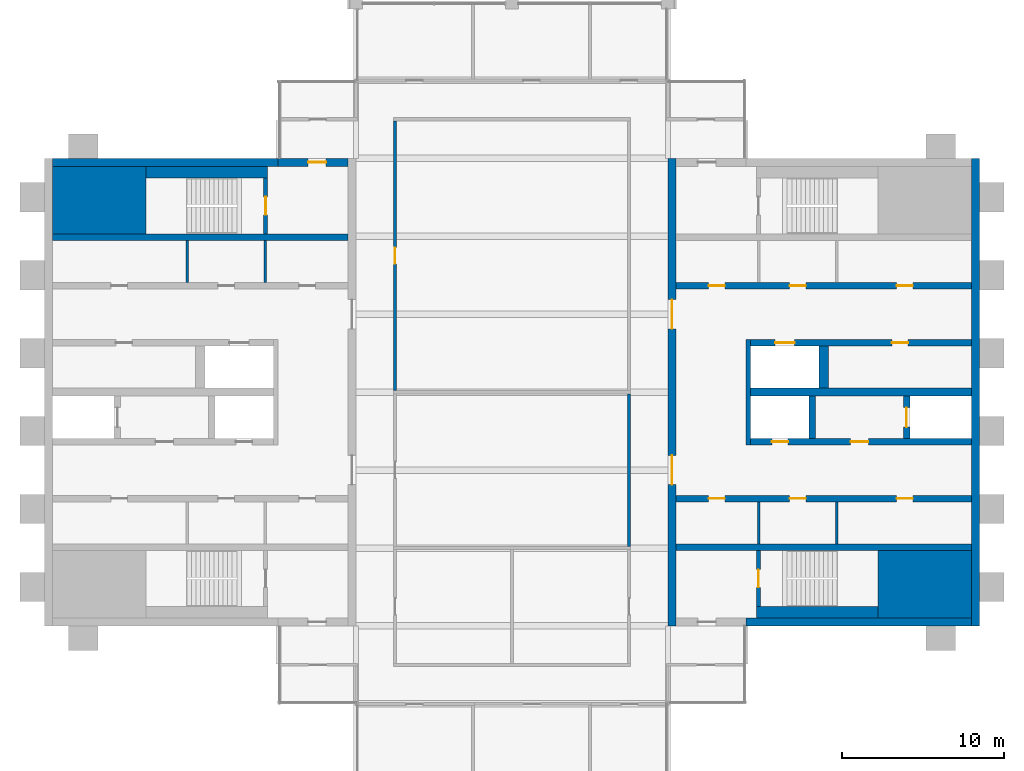
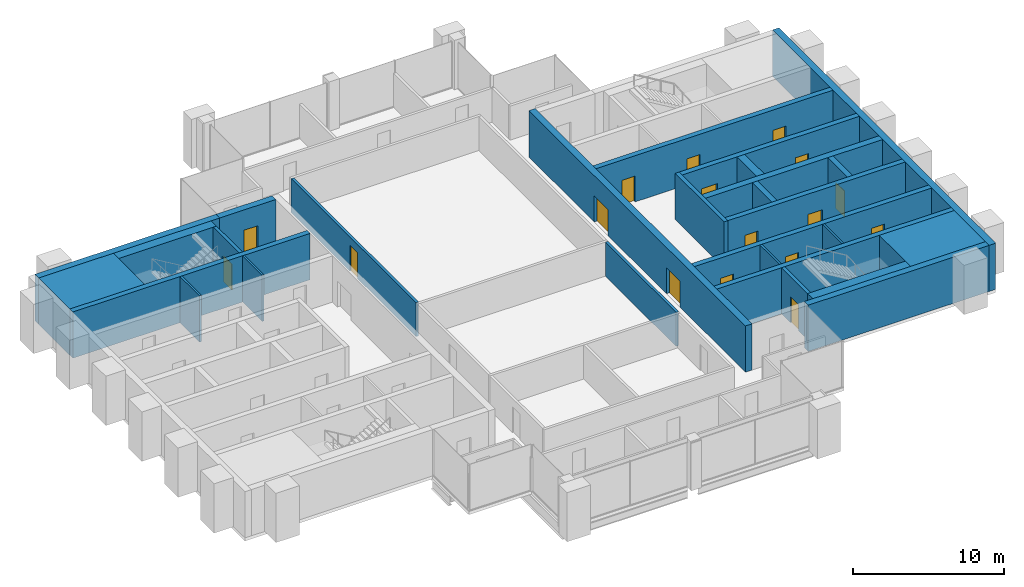
# One storey, part 9 of 11: 28 walls, 17 doors, 17 openings.
"""IFC4 building model written with IfcOpenShell, lengths in metres."""

from ifc_helpers import new_model, si_unit, direction, frame, frame_2d, origin, place, context, subcontext, project, spatial, rectangle, extrude, material, layer, layer_set, type_object, element, fill, save


model = new_model("IFC4")

# Units and contexts
model_context = context("Model", 3, precision=1e-05, world=origin(), true_north=direction((0.0, 1.0)))
body_context = subcontext(model_context, "Body", "Model", "MODEL_VIEW")
ifc_project = project(units=[si_unit("LENGTHUNIT", "METRE"), si_unit("AREAUNIT", "SQUARE_METRE"), si_unit("VOLUMEUNIT", "CUBIC_METRE"), si_unit("PLANEANGLEUNIT", "RADIAN"), si_unit("MASSUNIT", "GRAM", prefix="KILO")], contexts=[model_context])

# Site, building, storey
site_placement = place(None, origin())
site = spatial("IfcSite", under=ifc_project, at=site_placement, CompositionType="ELEMENT")
building_placement = place(site_placement, origin())
building = spatial("IfcBuilding", under=site, at=building_placement, Name="Baori Bourse Tower", CompositionType="ELEMENT")
storey_placement = place(building_placement, frame((0.0, 0.0, 358.300048828125)))
storey = spatial("IfcBuildingStorey", under=building, at=storey_placement, Name="L80", CompositionType="ELEMENT", Elevation=358.300048828125)

# Walls
ifc_material_1 = material(Name="Concrete f'c 40 MPa", Category="concrete")
wall_type_1 = type_object("IfcWallType", Name="Core corner block f'c 40", PredefinedType="SHEAR", material=ifc_material_1)
for number, where, z_axis, x_axis, name in (
    (1, (0.5, 35.824951171875, 0.0), (0.0, 0.0, 1.0), (1.0, 0.0, 0.0), "Core wall W23"),
    (2, (51.35009765625, 12.175048828125, 0.0), (0.0, 0.0, 1.0), (1.0, 0.0, 0.0), "Core wall E05"),
):
    element("IfcWall", number, at=place(storey_placement, frame(where, z_axis=z_axis, x_axis=x_axis)), inside=storey, type_object=wall_type_1, Name=name, PredefinedType="SHEAR", context=body_context, shape_type="SweptSolid", body=[
        extrude(rectangle(XDim=5.75, YDim=4.14990234375, at=frame_2d((2.875, 0.0))), origin(), (0.0, 0.0, 1.0), 3.75),
    ])
ifc_material_2 = material(Name="Blockwork partition", Category="masonry")
ifc_layer_1 = layer(ifc_material_2, 0.14990234375)
ifc_layer_set_1 = layer_set([ifc_layer_1], Name="Core partition 150")
wall_type_2 = type_object("IfcWallType", Name="Core partition 150", PredefinedType="PARTITIONING", material=ifc_layer_set_1)
for number, where, z_axis, x_axis, name in (
    (3, (8.800048828125, 30.75, 0.0), (0.0, 0.0, 1.0), (0.0, 1.0, 0.0), "Partition wall W20"),
    (4, (13.60009765625, 30.75, 0.0), (0.0, 0.0, 1.0), (0.0, 1.0, 0.0), "Partition wall W21"),
    (5, (48.800048828125, 14.64990234375, 0.0), (0.0, 0.0, 1.0), (0.0, 1.0, 0.0), "Partition wall E09"),
    (6, (44.0, 14.64990234375, 0.0), (0.0, 0.0, 1.0), (0.0, 1.0, 0.0), "Partition wall E10"),
):
    element("IfcWall", number, at=place(storey_placement, frame(where, z_axis=z_axis, x_axis=x_axis)), inside=storey, type_object=wall_type_2, Name=name, PredefinedType="PARTITIONING", context=body_context, shape_type="SweptSolid", body=[
        extrude(rectangle(XDim=2.60009765625, YDim=0.14990234375, at=frame_2d((1.300048828125, 0.0))), origin(), (0.0, 0.0, 1.0), 3.75),
    ])
ifc_material_3 = material(Name="Concrete f'c 40 MPa", Category="concrete")
ifc_layer_2 = layer(ifc_material_3, 0.5)
ifc_layer_set_2 = layer_set([ifc_layer_2], Name="Core wall 500 f'c 40")
wall_type_3 = type_object("IfcWallType", Name="Core wall 500 f'c 40", PredefinedType="SHEAR", material=ifc_layer_set_2)
wall_1_placement = place(storey_placement, frame((0.5, 38.14990234375, 0.0), z_axis=(0.0, 0.0, 1.0), x_axis=(1.0, 0.0, 0.0)))
element("IfcWall", 7, at=wall_1_placement, inside=storey, type_object=wall_type_3, Name="Core wall W26", PredefinedType="SHEAR", context=body_context, shape_type="SweptSolid", body=[
    extrude(rectangle(XDim=13.89990234375, YDim=0.5, at=frame_2d((6.949951171875, 0.0))), origin(), (0.0, 0.0, 1.0), 3.75),
])

# Wall, opening, door
wall_2_placement = place(storey_placement, frame((14.39990234375, 38.14990234375, 0.0), z_axis=(0.0, 0.0, 1.0), x_axis=(1.0, 0.0, 0.0)))
wall_2 = element("IfcWall", 8, at=wall_2_placement, inside=storey, type_object=wall_type_3, Name="Core wall W27", PredefinedType="SHEAR", context=body_context, shape_type="SweptSolid", body=[
    extrude(rectangle(XDim=4.300048828125, YDim=0.5, at=frame_2d((2.14990234375, 0.0))), origin(), (0.0, 0.0, 1.0), 3.75),
])
opening_1_placement = place(wall_2_placement, frame((1.85009765625, 0.0, 0.0)))
opening_1 = element("IfcOpeningElement", 9, at=opening_1_placement, cuts=wall_2, Name="Opening L80-D104", PredefinedType="OPENING", context=body_context, shape_type="SweptSolid", body=[
    extrude(rectangle(XDim=1.10009765625, YDim=2.10009765625, at=frame_2d((0.550048828125, 1.050048828125))), frame((0.0, 0.260009765625, 0.0), z_axis=(0.0, -1.0, 0.0), x_axis=(1.0, 0.0, 0.0)), (0.0, 0.0, 1.0), 0.52001953125),
])
ifc_material_4 = material(Name="Painted steel door", Category="steel")
door_type_1 = type_object("IfcDoorType", Name="Stair door 1100", OperationType="SINGLE_SWING_LEFT", PredefinedType="DOOR", material=ifc_material_4)
door_1_placement = place(opening_1_placement, origin())
door_1 = element("IfcDoor", 10, at=door_1_placement, inside=storey, type_object=door_type_1, Name="Stair vestibule door B W L80", OperationType="SINGLE_SWING_LEFT", OverallHeight=2.10009765625, OverallWidth=1.10009765625, PredefinedType="DOOR", context=body_context, shape_type="SweptSolid", body=[
    extrude(rectangle(XDim=1.10009765625, YDim=2.10009765625, at=frame_2d((0.550048828125, 1.050048828125))), frame((0.0, 0.02490234375, 0.0), z_axis=(0.0, -1.0, 0.0), x_axis=(1.0, 0.0, 0.0)), (0.0, 0.0, 1.0), 0.050048828125),
])
fill(opening_1, door_1)

# Walls
wall_3_placement = place(storey_placement, frame((57.35009765625, 38.39990234375, 0.0), z_axis=(0.0, 0.0, 1.0), x_axis=(0.0, -1.0, 0.0)))
element("IfcWall", 11, at=wall_3_placement, inside=storey, type_object=wall_type_3, Name="Core wall E01", PredefinedType="SHEAR", context=body_context, shape_type="SweptSolid", body=[
    extrude(rectangle(XDim=28.7998046875, YDim=0.5, at=frame_2d((14.39990234375, 0.0))), origin(), (0.0, 0.0, 1.0), 3.75),
])
wall_4_placement = place(storey_placement, frame((57.10009765625, 9.85009765625, 0.0), z_axis=(0.0, 0.0, 1.0), x_axis=(-1.0, 0.0, 0.0)))
element("IfcWall", 12, at=wall_4_placement, inside=storey, type_object=wall_type_3, Name="Core wall E02", PredefinedType="SHEAR", context=body_context, shape_type="SweptSolid", body=[
    extrude(rectangle(XDim=13.900146484375, YDim=0.5, at=frame_2d((6.9501953125, 0.0))), origin(), (0.0, 0.0, 1.0), 3.75),
])

# Wall, openings, doors
wall_5_placement = place(storey_placement, frame((38.64990234375, 9.60009765625, 0.0), z_axis=(0.0, 0.0, 1.0), x_axis=(0.0, 1.0, 0.0)))
wall_5 = element("IfcWall", 13, at=wall_5_placement, inside=storey, type_object=wall_type_3, Name="Core wall E04", PredefinedType="SHEAR", context=body_context, shape_type="SweptSolid", body=[
    extrude(rectangle(XDim=28.7998046875, YDim=0.5, at=frame_2d((14.39990234375, 0.0))), origin(), (0.0, 0.0, 1.0), 3.75),
])
opening_2_placement = place(wall_5_placement, frame((8.699951171875, 0.0, 0.0)))
opening_2 = element("IfcOpeningElement", 14, at=opening_2_placement, cuts=wall_5, Name="Opening L80-D207", PredefinedType="OPENING", context=body_context, shape_type="SweptSolid", body=[
    extrude(rectangle(XDim=1.800048828125, YDim=2.10009765625, at=frame_2d((0.89990234375, 1.050048828125))), frame((0.0, 0.260009765625, 0.0), z_axis=(0.0, -1.0, 0.0), x_axis=(1.0, 0.0, 0.0)), (0.0, 0.0, 1.0), 0.52001953125),
])
opening_3_placement = place(wall_5_placement, frame((18.300048828125, 0.0, 0.0)))
opening_3 = element("IfcOpeningElement", 15, at=opening_3_placement, cuts=wall_5, Name="Opening L80-D208", PredefinedType="OPENING", context=body_context, shape_type="SweptSolid", body=[
    extrude(rectangle(XDim=1.800048828125, YDim=2.10009765625, at=frame_2d((0.89990234375, 1.050048828125))), frame((0.0, 0.260009765625, 0.0), z_axis=(0.0, -1.0, 0.0), x_axis=(1.0, 0.0, 0.0)), (0.0, 0.0, 1.0), 0.52001953125),
])
ifc_material_5 = material(Name="Painted steel door", Category="steel")
door_type_2 = type_object("IfcDoorType", Name="Core lobby door 1800", OperationType="DOUBLE_DOOR_SINGLE_SWING", PredefinedType="DOOR", material=ifc_material_5)
door_2_placement = place(opening_2_placement, origin())
door_2 = element("IfcDoor", 16, at=door_2_placement, inside=storey, type_object=door_type_2, Name="Lobby door E L80", OperationType="DOUBLE_DOOR_SINGLE_SWING", OverallHeight=2.10009765625, OverallWidth=1.800048828125, PredefinedType="DOOR", context=body_context, shape_type="SweptSolid", body=[
    extrude(rectangle(XDim=1.800048828125, YDim=2.10009765625, at=frame_2d((0.89990234375, 1.050048828125))), frame((0.0, 0.02490234375, 0.0), z_axis=(0.0, -1.0, 0.0), x_axis=(1.0, 0.0, 0.0)), (0.0, 0.0, 1.0), 0.050048828125),
])
fill(opening_2, door_2)
door_3_placement = place(opening_3_placement, origin())
door_3 = element("IfcDoor", 17, at=door_3_placement, inside=storey, type_object=door_type_2, Name="Lobby door E L80", OperationType="DOUBLE_DOOR_SINGLE_SWING", OverallHeight=2.10009765625, OverallWidth=1.800048828125, PredefinedType="DOOR", context=body_context, shape_type="SweptSolid", body=[
    extrude(rectangle(XDim=1.800048828125, YDim=2.10009765625, at=frame_2d((0.89990234375, 1.050048828125))), frame((0.0, 0.02490234375, 0.0), z_axis=(0.0, -1.0, 0.0), x_axis=(1.0, 0.0, 0.0)), (0.0, 0.0, 1.0), 0.050048828125),
])
fill(opening_3, door_3)

# Wall, opening, door
ifc_material_6 = material(Name="Gypsum board partition")
ifc_layer_3 = layer(ifc_material_6, 0.199951171875)
ifc_layer_set_3 = layer_set([ifc_layer_3], Name="Plant room wall 200")
wall_type_4 = type_object("IfcWallType", Name="Plant room wall 200", PredefinedType="PARTITIONING", material=ifc_layer_set_3)
wall_6_placement = place(storey_placement, frame((21.60009765625, 24.10009765625, 0.0), z_axis=(0.0, 0.0, 1.0), x_axis=(0.0, 1.0, 0.0)))
wall_6 = element("IfcWall", 18, at=wall_6_placement, inside=storey, type_object=wall_type_4, Name="Partition", PredefinedType="PARTITIONING", context=body_context, shape_type="SweptSolid", body=[
    extrude(rectangle(XDim=16.599853515625, YDim=0.199951171875, at=frame_2d((8.2998046875, 0.0))), origin(), (0.0, 0.0, 1.0), 2.75927734375),
])
opening_4_placement = place(wall_6_placement, frame((7.800048828125, 0.0, 0.0)))
opening_4 = element("IfcOpeningElement", 19, at=opening_4_placement, cuts=wall_6, Name="Opening L80-D13", PredefinedType="OPENING", context=body_context, shape_type="SweptSolid", body=[
    extrude(rectangle(XDim=1.0, YDim=2.10009765625, at=frame_2d((0.5, 1.050048828125))), frame((0.0, 0.10986328125, 0.0), z_axis=(0.0, -1.0, 0.0), x_axis=(1.0, 0.0, 0.0)), (0.0, 0.0, 1.0), 0.219970703125),
])
ifc_material_7 = material(Name="Timber door leaf", Category="wood")
door_type_3 = type_object("IfcDoorType", Name="Door 1000 x 2100", OperationType="SINGLE_SWING_LEFT", PredefinedType="DOOR", material=ifc_material_7)
door_4_placement = place(opening_4_placement, origin())
door_4 = element("IfcDoor", 20, at=door_4_placement, inside=storey, type_object=door_type_3, Name="Door", OperationType="SINGLE_SWING_LEFT", OverallHeight=2.10009765625, OverallWidth=1.0, PredefinedType="DOOR", context=body_context, shape_type="SweptSolid", body=[
    extrude(rectangle(XDim=1.0, YDim=2.10009765625, at=frame_2d((0.5, 1.050048828125))), frame((0.0, 0.02490234375, 0.0), z_axis=(0.0, -1.0, 0.0), x_axis=(1.0, 0.0, 0.0)), (0.0, 0.0, 1.0), 0.050048828125),
])
fill(opening_4, door_4)

# Wall
wall_7_placement = place(storey_placement, frame((36.0, 14.5, 0.0), z_axis=(0.0, 0.0, 1.0), x_axis=(0.0, 1.0, 0.0)))
element("IfcWall", 21, at=wall_7_placement, inside=storey, type_object=wall_type_4, Name="Partition", PredefinedType="PARTITIONING", context=body_context, shape_type="SweptSolid", body=[
    extrude(rectangle(XDim=9.39990234375, YDim=0.199951171875, at=frame_2d((4.699951171875, 0.0))), origin(), (0.0, 0.0, 1.0), 2.75927734375),
])

# Wall, opening, door
ifc_material_8 = material(Name="Concrete f'c 40 MPa", Category="concrete")
ifc_layer_4 = layer(ifc_material_8, 0.25)
ifc_layer_set_4 = layer_set([ifc_layer_4], Name="Shaft wall 250 f'c 40")
wall_type_5 = type_object("IfcWallType", Name="Shaft wall 250 f'c 40", PredefinedType="SHEAR", material=ifc_layer_set_4)
wall_8_placement = place(storey_placement, frame((13.625, 33.75, 0.0), z_axis=(0.0, 0.0, 1.0), x_axis=(0.0, 1.0, 0.0)))
wall_8 = element("IfcWall", 22, at=wall_8_placement, inside=storey, type_object=wall_type_5, Name="Core wall W24", PredefinedType="SHEAR", context=body_context, shape_type="SweptSolid", body=[
    extrude(rectangle(XDim=3.449951171875, YDim=0.25, at=frame_2d((1.72509765625, 0.0))), origin(), (0.0, 0.0, 1.0), 3.75),
])
opening_5_placement = place(wall_8_placement, frame((1.175048828125, 0.0, 0.0)))
opening_5 = element("IfcOpeningElement", 23, at=opening_5_placement, cuts=wall_8, Name="Opening L80-D103", PredefinedType="OPENING", context=body_context, shape_type="SweptSolid", body=[
    extrude(rectangle(XDim=1.10009765625, YDim=2.10009765625, at=frame_2d((0.550048828125, 1.050048828125))), frame((0.0, 0.135009765625, 0.0), z_axis=(0.0, -1.0, 0.0), x_axis=(1.0, 0.0, 0.0)), (0.0, 0.0, 1.0), 0.27001953125),
])
door_5_placement = place(opening_5_placement, origin())
door_5 = element("IfcDoor", 24, at=door_5_placement, inside=storey, type_object=door_type_1, Name="Stair door B W L80", OperationType="SINGLE_SWING_LEFT", OverallHeight=2.10009765625, OverallWidth=1.10009765625, PredefinedType="DOOR", context=body_context, shape_type="SweptSolid", body=[
    extrude(rectangle(XDim=1.10009765625, YDim=2.10009765625, at=frame_2d((0.550048828125, 1.050048828125))), frame((0.0, 0.02490234375, 0.0), z_axis=(0.0, -1.0, 0.0), x_axis=(1.0, 0.0, 0.0)), (0.0, 0.0, 1.0), 0.050048828125),
])
fill(opening_5, door_5)

wall_9_placement = place(storey_placement, frame((43.97509765625, 10.800048828125, 0.0), z_axis=(0.0, 0.0, 1.0), x_axis=(0.0, 1.0, 0.0)))
wall_9 = element("IfcWall", 25, at=wall_9_placement, inside=storey, type_object=wall_type_5, Name="Core wall E07", PredefinedType="SHEAR", context=body_context, shape_type="SweptSolid", body=[
    extrude(rectangle(XDim=3.449951171875, YDim=0.25, at=frame_2d((1.72509765625, 0.0))), origin(), (0.0, 0.0, 1.0), 3.75),
])
opening_6_placement = place(wall_9_placement, frame((1.175048828125, 0.0, 0.0)))
opening_6 = element("IfcOpeningElement", 26, at=opening_6_placement, cuts=wall_9, Name="Opening L80-D201", PredefinedType="OPENING", context=body_context, shape_type="SweptSolid", body=[
    extrude(rectangle(XDim=1.10009765625, YDim=2.10009765625, at=frame_2d((0.550048828125, 1.050048828125))), frame((0.0, 0.135009765625, 0.0), z_axis=(0.0, -1.0, 0.0), x_axis=(1.0, 0.0, 0.0)), (0.0, 0.0, 1.0), 0.27001953125),
])
door_6_placement = place(opening_6_placement, origin())
door_6 = element("IfcDoor", 27, at=door_6_placement, inside=storey, type_object=door_type_1, Name="Stair door A E L80", OperationType="SINGLE_SWING_LEFT", OverallHeight=2.10009765625, OverallWidth=1.10009765625, PredefinedType="DOOR", context=body_context, shape_type="SweptSolid", body=[
    extrude(rectangle(XDim=1.10009765625, YDim=2.10009765625, at=frame_2d((0.550048828125, 1.050048828125))), frame((0.0, 0.02490234375, 0.0), z_axis=(0.0, -1.0, 0.0), x_axis=(1.0, 0.0, 0.0)), (0.0, 0.0, 1.0), 0.050048828125),
])
fill(opening_6, door_6)

# Walls
ifc_material_9 = material(Name="Concrete f'c 40 MPa", Category="concrete")
ifc_layer_5 = layer(ifc_material_9, 0.300048828125)
ifc_layer_set_5 = layer_set([ifc_layer_5], Name="Shaft wall 300 f'c 40")
wall_type_6 = type_object("IfcWallType", Name="Shaft wall 300 f'c 40", PredefinedType="SHEAR", material=ifc_layer_set_5)
wall_10_placement = place(storey_placement, frame((43.35009765625, 20.75, 0.0), z_axis=(0.0, 0.0, 1.0), x_axis=(0.0, 1.0, 0.0)))
element("IfcWall", 28, at=wall_10_placement, inside=storey, type_object=wall_type_6, Name="Core wall E13", PredefinedType="SHEAR", context=body_context, shape_type="SweptSolid", body=[
    extrude(rectangle(XDim=6.5, YDim=0.300048828125, at=frame_2d((3.25, 0.0))), origin(), (0.0, 0.0, 1.0), 3.75),
])
ifc_material_10 = material(Name="Concrete f'c 40 MPa", Category="concrete")
ifc_layer_6 = layer(ifc_material_10, 0.39990234375)
ifc_layer_set_6 = layer_set([ifc_layer_6], Name="Shaft wall 400 f'c 40")
wall_type_7 = type_object("IfcWallType", Name="Shaft wall 400 f'c 40", PredefinedType="SHEAR", material=ifc_layer_set_6)
wall_11_placement = place(storey_placement, frame((0.5, 33.550048828125, 0.0), z_axis=(0.0, 0.0, 1.0), x_axis=(1.0, 0.0, 0.0)))
element("IfcWall", 29, at=wall_11_placement, inside=storey, type_object=wall_type_7, Name="Core wall W22", PredefinedType="SHEAR", context=body_context, shape_type="SweptSolid", body=[
    extrude(rectangle(XDim=18.199951171875, YDim=0.39990234375, at=frame_2d((9.10009765625, 0.0))), origin(), (0.0, 0.0, 1.0), 3.75),
])
wall_12_placement = place(storey_placement, frame((38.89990234375, 14.449951171875, 0.0), z_axis=(0.0, 0.0, 1.0), x_axis=(1.0, 0.0, 0.0)))
element("IfcWall", 30, at=wall_12_placement, inside=storey, type_object=wall_type_7, Name="Core wall E08", PredefinedType="SHEAR", context=body_context, shape_type="SweptSolid", body=[
    extrude(rectangle(XDim=18.2001953125, YDim=0.39990234375, at=frame_2d((9.10009765625, 0.0))), origin(), (0.0, 0.0, 1.0), 3.75),
])

# Wall, openings, doors
wall_13_placement = place(storey_placement, frame((38.89990234375, 17.449951171875, 0.0), z_axis=(0.0, 0.0, 1.0), x_axis=(1.0, 0.0, 0.0)))
wall_13 = element("IfcWall", 31, at=wall_13_placement, inside=storey, type_object=wall_type_7, Name="Core wall E11", PredefinedType="SHEAR", context=body_context, shape_type="SweptSolid", body=[
    extrude(rectangle(XDim=18.2001953125, YDim=0.39990234375, at=frame_2d((9.10009765625, 0.0))), origin(), (0.0, 0.0, 1.0), 3.75),
])
opening_7_placement = place(wall_13_placement, frame((13.58740234375, 0.0, 0.0)))
opening_7 = element("IfcOpeningElement", 32, at=opening_7_placement, cuts=wall_13, Name="Opening L80-D212", PredefinedType="OPENING", context=body_context, shape_type="SweptSolid", body=[
    extrude(rectangle(XDim=1.0, YDim=2.10009765625, at=frame_2d((0.5, 1.050048828125))), frame((0.0, 0.2099609375, 0.0), z_axis=(0.0, -1.0, 0.0), x_axis=(1.0, 0.0, 0.0)), (0.0, 0.0, 1.0), 0.419921875),
])
opening_8_placement = place(wall_13_placement, frame((7.0, 0.0, 0.0)))
opening_8 = element("IfcOpeningElement", 33, at=opening_8_placement, cuts=wall_13, Name="Opening L80-D213", PredefinedType="OPENING", context=body_context, shape_type="SweptSolid", body=[
    extrude(rectangle(XDim=1.0, YDim=2.10009765625, at=frame_2d((0.5, 1.050048828125))), frame((0.0, 0.2099609375, 0.0), z_axis=(0.0, -1.0, 0.0), x_axis=(1.0, 0.0, 0.0)), (0.0, 0.0, 1.0), 0.419921875),
])
opening_9_placement = place(wall_13_placement, frame((2.012451171875, 0.0, 0.0)))
opening_9 = element("IfcOpeningElement", 34, at=opening_9_placement, cuts=wall_13, Name="Opening L80-D214", PredefinedType="OPENING", context=body_context, shape_type="SweptSolid", body=[
    extrude(rectangle(XDim=1.0, YDim=2.10009765625, at=frame_2d((0.5, 1.050048828125))), frame((0.0, 0.2099609375, 0.0), z_axis=(0.0, -1.0, 0.0), x_axis=(1.0, 0.0, 0.0)), (0.0, 0.0, 1.0), 0.419921875),
])
ifc_material_11 = material(Name="Painted steel door", Category="steel")
door_type_4 = type_object("IfcDoorType", Name="Plant room door 1000", OperationType="SINGLE_SWING_LEFT", PredefinedType="DOOR", material=ifc_material_11)
door_7_placement = place(opening_7_placement, origin())
door_7 = element("IfcDoor", 35, at=door_7_placement, inside=storey, type_object=door_type_4, Name="Air Handling Fan Room door E L80", OperationType="SINGLE_SWING_LEFT", OverallHeight=2.10009765625, OverallWidth=1.0, PredefinedType="DOOR", context=body_context, shape_type="SweptSolid", body=[
    extrude(rectangle(XDim=1.0, YDim=2.10009765625, at=frame_2d((0.5, 1.050048828125))), frame((0.0, 0.02490234375, 0.0), z_axis=(0.0, -1.0, 0.0), x_axis=(1.0, 0.0, 0.0)), (0.0, 0.0, 1.0), 0.050048828125),
])
fill(opening_7, door_7)
door_8_placement = place(opening_8_placement, origin())
door_8 = element("IfcDoor", 36, at=door_8_placement, inside=storey, type_object=door_type_4, Name="Electrical Room door E L80", OperationType="SINGLE_SWING_LEFT", OverallHeight=2.10009765625, OverallWidth=1.0, PredefinedType="DOOR", context=body_context, shape_type="SweptSolid", body=[
    extrude(rectangle(XDim=1.0, YDim=2.10009765625, at=frame_2d((0.5, 1.050048828125))), frame((0.0, 0.02490234375, 0.0), z_axis=(0.0, -1.0, 0.0), x_axis=(1.0, 0.0, 0.0)), (0.0, 0.0, 1.0), 0.050048828125),
])
fill(opening_8, door_8)
door_9_placement = place(opening_9_placement, origin())
door_9 = element("IfcDoor", 37, at=door_9_placement, inside=storey, type_object=door_type_4, Name="Mechanical Room door E L80", OperationType="SINGLE_SWING_LEFT", OverallHeight=2.10009765625, OverallWidth=1.0, PredefinedType="DOOR", context=body_context, shape_type="SweptSolid", body=[
    extrude(rectangle(XDim=1.0, YDim=2.10009765625, at=frame_2d((0.5, 1.050048828125))), frame((0.0, 0.02490234375, 0.0), z_axis=(0.0, -1.0, 0.0), x_axis=(1.0, 0.0, 0.0)), (0.0, 0.0, 1.0), 0.050048828125),
])
fill(opening_9, door_9)

wall_14_placement = place(storey_placement, frame((43.5, 20.949951171875, 0.0), z_axis=(0.0, 0.0, 1.0), x_axis=(1.0, 0.0, 0.0)))
wall_14 = element("IfcWall", 38, at=wall_14_placement, inside=storey, type_object=wall_type_7, Name="Core wall E12", PredefinedType="SHEAR", context=body_context, shape_type="SweptSolid", body=[
    extrude(rectangle(XDim=13.60009765625, YDim=0.39990234375, at=frame_2d((6.800048828125, 0.0))), origin(), (0.0, 0.0, 1.0), 3.75),
])
opening_10_placement = place(wall_14_placement, frame((6.14990234375, 0.0, 0.0)))
opening_10 = element("IfcOpeningElement", 39, at=opening_10_placement, cuts=wall_14, Name="Opening L80-D205", PredefinedType="OPENING", context=body_context, shape_type="SweptSolid", body=[
    extrude(rectangle(XDim=1.10009765625, YDim=2.10009765625, at=frame_2d((0.550048828125, 1.050048828125))), frame((0.0, 0.2099609375, 0.0), z_axis=(0.0, -1.0, 0.0), x_axis=(1.0, 0.0, 0.0)), (0.0, 0.0, 1.0), 0.419921875),
])
opening_11_placement = place(wall_14_placement, frame((1.300048828125, 0.0, 0.0)))
opening_11 = element("IfcOpeningElement", 40, at=opening_11_placement, cuts=wall_14, Name="Opening L80-D206", PredefinedType="OPENING", context=body_context, shape_type="SweptSolid", body=[
    extrude(rectangle(XDim=1.0, YDim=2.10009765625, at=frame_2d((0.5, 1.050048828125))), frame((0.0, 0.2099609375, 0.0), z_axis=(0.0, -1.0, 0.0), x_axis=(1.0, 0.0, 0.0)), (0.0, 0.0, 1.0), 0.419921875),
])
ifc_material_12 = material(Name="Painted steel door", Category="steel")
door_type_5 = type_object("IfcDoorType", Name="Lobby door 1100", OperationType="SINGLE_SWING_LEFT", PredefinedType="DOOR", material=ifc_material_12)
door_10_placement = place(opening_10_placement, origin())
door_10 = element("IfcDoor", 41, at=door_10_placement, inside=storey, type_object=door_type_5, Name="Firefighting lobby door E L80", OperationType="SINGLE_SWING_LEFT", OverallHeight=2.10009765625, OverallWidth=1.10009765625, PredefinedType="DOOR", context=body_context, shape_type="SweptSolid", body=[
    extrude(rectangle(XDim=1.10009765625, YDim=2.10009765625, at=frame_2d((0.550048828125, 1.050048828125))), frame((0.0, 0.02490234375, 0.0), z_axis=(0.0, -1.0, 0.0), x_axis=(1.0, 0.0, 0.0)), (0.0, 0.0, 1.0), 0.050048828125),
])
fill(opening_10, door_10)
ifc_material_13 = material(Name="Painted steel door", Category="steel")
door_type_6 = type_object("IfcDoorType", Name="Shaft door 1000", OperationType="SINGLE_SWING_LEFT", PredefinedType="DOOR", material=ifc_material_13)
door_11_placement = place(opening_11_placement, origin())
door_11 = element("IfcDoor", 42, at=door_11_placement, inside=storey, type_object=door_type_6, Name="Riser room door E L80", OperationType="SINGLE_SWING_LEFT", OverallHeight=2.10009765625, OverallWidth=1.0, PredefinedType="DOOR", context=body_context, shape_type="SweptSolid", body=[
    extrude(rectangle(XDim=1.0, YDim=2.10009765625, at=frame_2d((0.5, 1.050048828125))), frame((0.0, 0.02490234375, 0.0), z_axis=(0.0, -1.0, 0.0), x_axis=(1.0, 0.0, 0.0)), (0.0, 0.0, 1.0), 0.050048828125),
])
fill(opening_11, door_11)

# Wall, opening, door
wall_15_placement = place(storey_placement, frame((53.10009765625, 21.14990234375, 0.0), z_axis=(0.0, 0.0, 1.0), x_axis=(0.0, 1.0, 0.0)))
wall_15 = element("IfcWall", 43, at=wall_15_placement, inside=storey, type_object=wall_type_7, Name="Core wall E14", PredefinedType="SHEAR", context=body_context, shape_type="SweptSolid", body=[
    extrude(rectangle(XDim=2.60009765625, YDim=0.39990234375, at=frame_2d((1.300048828125, 0.0))), origin(), (0.0, 0.0, 1.0), 3.75),
])
opening_12_placement = place(wall_15_placement, frame((0.699951171875, 0.0, 0.0)))
opening_12 = element("IfcOpeningElement", 44, at=opening_12_placement, cuts=wall_15, Name="Opening L80-D217", PredefinedType="OPENING", context=body_context, shape_type="SweptSolid", body=[
    extrude(rectangle(XDim=1.199951171875, YDim=2.10009765625, at=frame_2d((0.60009765625, 1.050048828125))), frame((0.0, 0.2099609375, 0.0), z_axis=(0.0, -1.0, 0.0), x_axis=(1.0, 0.0, 0.0)), (0.0, 0.0, 1.0), 0.419921875),
])
ifc_material_14 = material(Name="Stainless steel door", Category="steel")
door_type_7 = type_object("IfcDoorType", Name="Lift landing door", OperationType="DOUBLE_DOOR_SLIDING", PredefinedType="DOOR", material=ifc_material_14)
door_12_placement = place(opening_12_placement, origin())
door_12 = element("IfcDoor", 45, at=door_12_placement, inside=storey, type_object=door_type_7, Name="Lift landing door FF2 E L80", OperationType="DOUBLE_DOOR_SLIDING", OverallHeight=2.10009765625, OverallWidth=1.199951171875, PredefinedType="DOOR", context=body_context, shape_type="SweptSolid", body=[
    extrude(rectangle(XDim=1.199951171875, YDim=2.10009765625, at=frame_2d((0.60009765625, 1.050048828125))), frame((0.0, 0.02490234375, 0.0), z_axis=(0.0, -1.0, 0.0), x_axis=(1.0, 0.0, 0.0)), (0.0, 0.0, 1.0), 0.050048828125),
])
fill(opening_12, door_12)

# Wall
wall_16_placement = place(storey_placement, frame((47.300048828125, 21.14990234375, 0.0), z_axis=(0.0, 0.0, 1.0), x_axis=(0.0, 1.0, 0.0)))
element("IfcWall", 46, at=wall_16_placement, inside=storey, type_object=wall_type_7, Name="Core wall E15", PredefinedType="SHEAR", context=body_context, shape_type="SweptSolid", body=[
    extrude(rectangle(XDim=2.60009765625, YDim=0.39990234375, at=frame_2d((1.300048828125, 0.0))), origin(), (0.0, 0.0, 1.0), 3.75),
])

# Wall, openings, doors
wall_17_placement = place(storey_placement, frame((43.5, 27.050048828125, 0.0), z_axis=(0.0, 0.0, 1.0), x_axis=(1.0, 0.0, 0.0)))
wall_17 = element("IfcWall", 47, at=wall_17_placement, inside=storey, type_object=wall_type_7, Name="Core wall E18", PredefinedType="SHEAR", context=body_context, shape_type="SweptSolid", body=[
    extrude(rectangle(XDim=13.60009765625, YDim=0.39990234375, at=frame_2d((6.800048828125, 0.0))), origin(), (0.0, 0.0, 1.0), 3.75),
])
opening_13_placement = place(wall_17_placement, frame((8.699951171875, 0.0, 0.0)))
opening_13 = element("IfcOpeningElement", 48, at=opening_13_placement, cuts=wall_17, Name="Opening L80-D215", PredefinedType="OPENING", context=body_context, shape_type="SweptSolid", body=[
    extrude(rectangle(XDim=1.0, YDim=2.10009765625, at=frame_2d((0.5, 1.050048828125))), frame((0.0, 0.2099609375, 0.0), z_axis=(0.0, -1.0, 0.0), x_axis=(1.0, 0.0, 0.0)), (0.0, 0.0, 1.0), 0.419921875),
])
opening_14_placement = place(wall_17_placement, frame((1.5, 0.0, 0.0)))
opening_14 = element("IfcOpeningElement", 49, at=opening_14_placement, cuts=wall_17, Name="Opening L80-D216", PredefinedType="OPENING", context=body_context, shape_type="SweptSolid", body=[
    extrude(rectangle(XDim=1.199951171875, YDim=2.10009765625, at=frame_2d((0.60009765625, 1.050048828125))), frame((0.0, 0.2099609375, 0.0), z_axis=(0.0, -1.0, 0.0), x_axis=(1.0, 0.0, 0.0)), (0.0, 0.0, 1.0), 0.419921875),
])
door_13_placement = place(opening_14_placement, origin())
door_13 = element("IfcDoor", 50, at=door_13_placement, inside=storey, type_object=door_type_7, Name="Lift landing door SV1 E L80", OperationType="DOUBLE_DOOR_SLIDING", OverallHeight=2.10009765625, OverallWidth=1.199951171875, PredefinedType="DOOR", context=body_context, shape_type="SweptSolid", body=[
    extrude(rectangle(XDim=1.199951171875, YDim=2.10009765625, at=frame_2d((0.60009765625, 1.050048828125))), frame((0.0, 0.02490234375, 0.0), z_axis=(0.0, -1.0, 0.0), x_axis=(1.0, 0.0, 0.0)), (0.0, 0.0, 1.0), 0.050048828125),
])
fill(opening_14, door_13)
door_14_placement = place(opening_13_placement, origin())
door_14 = element("IfcDoor", 51, at=door_14_placement, inside=storey, type_object=door_type_4, Name="Plant Room door E L80", OperationType="SINGLE_SWING_LEFT", OverallHeight=2.10009765625, OverallWidth=1.0, PredefinedType="DOOR", context=body_context, shape_type="SweptSolid", body=[
    extrude(rectangle(XDim=1.0, YDim=2.10009765625, at=frame_2d((0.5, 1.050048828125))), frame((0.0, 0.02490234375, 0.0), z_axis=(0.0, -1.0, 0.0), x_axis=(1.0, 0.0, 0.0)), (0.0, 0.0, 1.0), 0.050048828125),
])
fill(opening_13, door_14)

wall_18_placement = place(storey_placement, frame((38.89990234375, 30.550048828125, 0.0), z_axis=(0.0, 0.0, 1.0), x_axis=(1.0, 0.0, 0.0)))
wall_18 = element("IfcWall", 52, at=wall_18_placement, inside=storey, type_object=wall_type_7, Name="Core wall E19", PredefinedType="SHEAR", context=body_context, shape_type="SweptSolid", body=[
    extrude(rectangle(XDim=18.2001953125, YDim=0.39990234375, at=frame_2d((9.10009765625, 0.0))), origin(), (0.0, 0.0, 1.0), 3.75),
])
opening_15_placement = place(wall_18_placement, frame((13.58740234375, 0.0, 0.0)))
opening_15 = element("IfcOpeningElement", 53, at=opening_15_placement, cuts=wall_18, Name="Opening L80-D209", PredefinedType="OPENING", context=body_context, shape_type="SweptSolid", body=[
    extrude(rectangle(XDim=1.0, YDim=2.10009765625, at=frame_2d((0.5, 1.050048828125))), frame((0.0, 0.2099609375, 0.0), z_axis=(0.0, -1.0, 0.0), x_axis=(1.0, 0.0, 0.0)), (0.0, 0.0, 1.0), 0.419921875),
])
opening_16_placement = place(wall_18_placement, frame((7.0, 0.0, 0.0)))
opening_16 = element("IfcOpeningElement", 54, at=opening_16_placement, cuts=wall_18, Name="Opening L80-D210", PredefinedType="OPENING", context=body_context, shape_type="SweptSolid", body=[
    extrude(rectangle(XDim=1.0, YDim=2.10009765625, at=frame_2d((0.5, 1.050048828125))), frame((0.0, 0.2099609375, 0.0), z_axis=(0.0, -1.0, 0.0), x_axis=(1.0, 0.0, 0.0)), (0.0, 0.0, 1.0), 0.419921875),
])
opening_17_placement = place(wall_18_placement, frame((2.012451171875, 0.0, 0.0)))
opening_17 = element("IfcOpeningElement", 55, at=opening_17_placement, cuts=wall_18, Name="Opening L80-D211", PredefinedType="OPENING", context=body_context, shape_type="SweptSolid", body=[
    extrude(rectangle(XDim=1.0, YDim=2.10009765625, at=frame_2d((0.5, 1.050048828125))), frame((0.0, 0.2099609375, 0.0), z_axis=(0.0, -1.0, 0.0), x_axis=(1.0, 0.0, 0.0)), (0.0, 0.0, 1.0), 0.419921875),
])
door_15_placement = place(opening_15_placement, origin())
door_15 = element("IfcDoor", 56, at=door_15_placement, inside=storey, type_object=door_type_4, Name="Air Handling Fan Room door E L80", OperationType="SINGLE_SWING_LEFT", OverallHeight=2.10009765625, OverallWidth=1.0, PredefinedType="DOOR", context=body_context, shape_type="SweptSolid", body=[
    extrude(rectangle(XDim=1.0, YDim=2.10009765625, at=frame_2d((0.5, 1.050048828125))), frame((0.0, 0.02490234375, 0.0), z_axis=(0.0, -1.0, 0.0), x_axis=(1.0, 0.0, 0.0)), (0.0, 0.0, 1.0), 0.050048828125),
])
fill(opening_15, door_15)
door_16_placement = place(opening_16_placement, origin())
door_16 = element("IfcDoor", 57, at=door_16_placement, inside=storey, type_object=door_type_4, Name="Electrical Room door E L80", OperationType="SINGLE_SWING_LEFT", OverallHeight=2.10009765625, OverallWidth=1.0, PredefinedType="DOOR", context=body_context, shape_type="SweptSolid", body=[
    extrude(rectangle(XDim=1.0, YDim=2.10009765625, at=frame_2d((0.5, 1.050048828125))), frame((0.0, 0.02490234375, 0.0), z_axis=(0.0, -1.0, 0.0), x_axis=(1.0, 0.0, 0.0)), (0.0, 0.0, 1.0), 0.050048828125),
])
fill(opening_16, door_16)
door_17_placement = place(opening_17_placement, origin())
door_17 = element("IfcDoor", 58, at=door_17_placement, inside=storey, type_object=door_type_4, Name="Mechanical Room door E L80", OperationType="SINGLE_SWING_LEFT", OverallHeight=2.10009765625, OverallWidth=1.0, PredefinedType="DOOR", context=body_context, shape_type="SweptSolid", body=[
    extrude(rectangle(XDim=1.0, YDim=2.10009765625, at=frame_2d((0.5, 1.050048828125))), frame((0.0, 0.02490234375, 0.0), z_axis=(0.0, -1.0, 0.0), x_axis=(1.0, 0.0, 0.0)), (0.0, 0.0, 1.0), 0.050048828125),
])
fill(opening_17, door_17)

# Walls
ifc_material_15 = material(Name="Concrete f'c 40 MPa", Category="concrete")
ifc_layer_7 = layer(ifc_material_15, 0.5)
ifc_layer_set_7 = layer_set([ifc_layer_7], Name="Shaft wall 500 f'c 40")
wall_type_8 = type_object("IfcWallType", Name="Shaft wall 500 f'c 40", PredefinedType="SHEAR", material=ifc_layer_set_7)
wall_19_placement = place(storey_placement, frame((43.5, 24.0, 0.0), z_axis=(0.0, 0.0, 1.0), x_axis=(1.0, 0.0, 0.0)))
element("IfcWall", 59, at=wall_19_placement, inside=storey, type_object=wall_type_8, Name="Core wall E16", PredefinedType="SHEAR", context=body_context, shape_type="SweptSolid", body=[
    extrude(rectangle(XDim=13.60009765625, YDim=0.5, at=frame_2d((6.800048828125, 0.0))), origin(), (0.0, 0.0, 1.0), 3.75),
])
ifc_material_16 = material(Name="Concrete f'c 40 MPa", Category="concrete")
ifc_layer_8 = layer(ifc_material_16, 0.60009765625)
ifc_layer_set_8 = layer_set([ifc_layer_8], Name="Shaft wall 600 f'c 40")
wall_type_9 = type_object("IfcWallType", Name="Shaft wall 600 f'c 40", PredefinedType="SHEAR", material=ifc_layer_set_8)
wall_20_placement = place(storey_placement, frame((48.0, 24.25, 0.0), z_axis=(0.0, 0.0, 1.0), x_axis=(0.0, 1.0, 0.0)))
element("IfcWall", 60, at=wall_20_placement, inside=storey, type_object=wall_type_9, Name="Core wall E17", PredefinedType="SHEAR", context=body_context, shape_type="SweptSolid", body=[
    extrude(rectangle(XDim=2.60009765625, YDim=0.60009765625, at=frame_2d((1.300048828125, 0.0))), origin(), (0.0, 0.0, 1.0), 3.75),
])
ifc_material_17 = material(Name="Concrete f'c 40 MPa", Category="concrete")
ifc_layer_9 = layer(ifc_material_17, 0.699951171875)
ifc_layer_set_9 = layer_set([ifc_layer_9], Name="Shaft wall 700 f'c 40")
wall_type_10 = type_object("IfcWallType", Name="Shaft wall 700 f'c 40", PredefinedType="SHEAR", material=ifc_layer_set_9)
for number, where, z_axis, x_axis, name in (
    (61, (6.25, 37.550048828125, 0.0), (0.0, 0.0, 1.0), (1.0, 0.0, 0.0), "Core wall W25"),
    (62, (43.85009765625, 10.449951171875, 0.0), (0.0, 0.0, 1.0), (1.0, 0.0, 0.0), "Core wall E06"),
):
    element("IfcWall", number, at=place(storey_placement, frame(where, z_axis=z_axis, x_axis=x_axis)), inside=storey, type_object=wall_type_10, Name=name, PredefinedType="SHEAR", context=body_context, shape_type="SweptSolid", body=[
        extrude(rectangle(XDim=7.5, YDim=0.699951171875, at=frame_2d((3.75, 0.0))), origin(), (0.0, 0.0, 1.0), 3.75),
    ])

save(model, "model.ifc")
